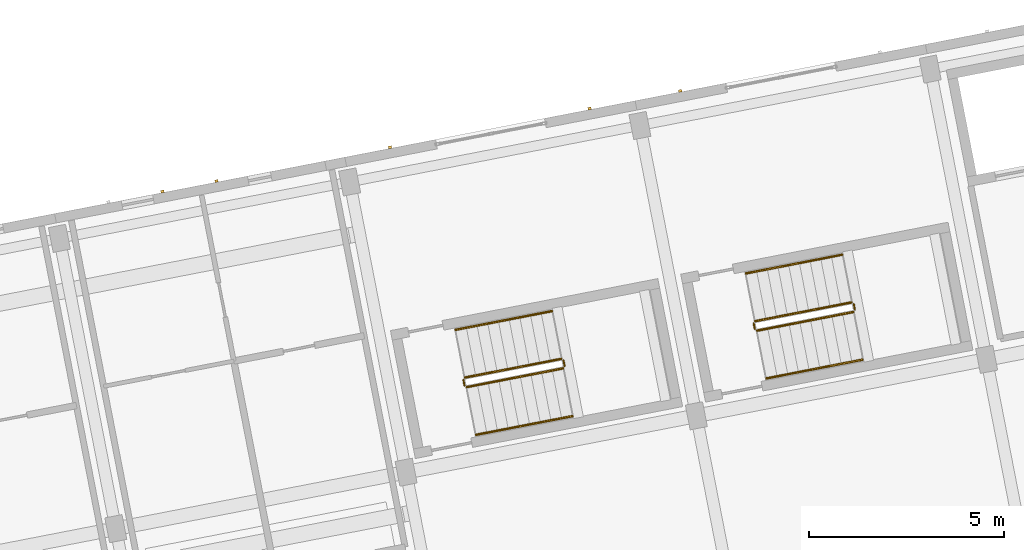
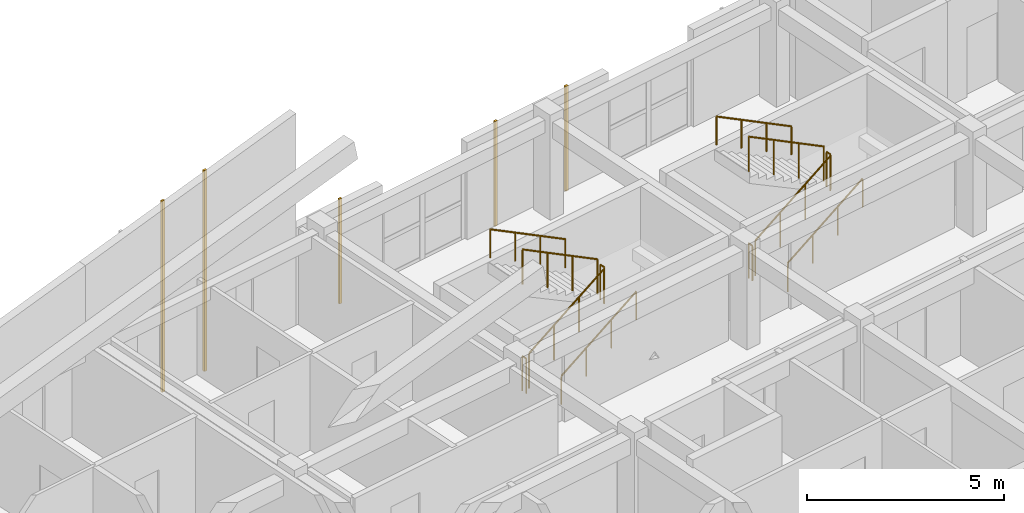
# One storey, part 59 of 64: 12 railings, 5 coverings.
"""IFC4 building model written with IfcOpenShell, lengths in metres."""

from ifc_helpers import new_model, si_unit, direction, frame, origin, origin_2d, place, context, subcontext, project, spatial, rectangle, circle, extrude, material, layer, layer_set, type_object, element, save


model = new_model("IFC4")

# Units and contexts
model_context = context("Model", 3, precision=1e-05, world=origin(), true_north=direction((0.0, 1.0)))
body_context = subcontext(model_context, "Body", "Model", "MODEL_VIEW")
ifc_project = project(units=[si_unit("LENGTHUNIT", "METRE"), si_unit("AREAUNIT", "SQUARE_METRE"), si_unit("VOLUMEUNIT", "CUBIC_METRE"), si_unit("PLANEANGLEUNIT", "RADIAN"), si_unit("MASSUNIT", "GRAM", prefix="KILO")], contexts=[model_context])

# Site, building, storey
site_placement = place(None, origin())
site = spatial("IfcSite", under=ifc_project, at=site_placement, CompositionType="ELEMENT")
building_placement = place(site_placement, origin())
building = spatial("IfcBuilding", under=site, at=building_placement, Name="Kestramere Prow Commons", CompositionType="ELEMENT")
storey_placement = place(building_placement, frame((0.0, 0.0, 24.64990234375)))
storey = spatial("IfcBuildingStorey", under=building, at=storey_placement, Name="L07", CompositionType="ELEMENT", Elevation=24.64990234375)

# Coverings
ifc_material_1 = material(Name="Weathered Zinc-Titanium Standing-Seam Cladding")
ifc_layer = layer(ifc_material_1, 0.074951171875)
ifc_layer_set = layer_set([ifc_layer], Name="Weathered Zinc-Titanium Standing-Seam Cladding")
covering_type = type_object("IfcCoveringType", Name="COV-CLAD-SEAM", PredefinedType="CLADDING", material=ifc_layer_set)
covering_1_placement = place(storey_placement, frame((132.2294921875, 57.34521484375, -0.25), z_axis=(0.0, 0.0, 1.0), x_axis=(0.981627183448, 0.190808995377, 0.0)))
element("IfcCovering", 1, at=covering_1_placement, inside=storey, type_object=covering_type, Name="EW-D-L07-N-2 Standing-Seam Rib 2", PredefinedType="CLADDING", context=body_context, shape_type="SweptSolid", body=[
    extrude(rectangle(XDim=0.0849609375, YDim=0.06494140625, at=origin_2d()), origin(), (0.0, 0.0, 1.0), 5.926513671875),
])
covering_2_placement = place(storey_placement, frame((133.61865234375, 57.615234375, -0.249755859375), z_axis=(0.0, 0.0, 1.0), x_axis=(0.981627183448, 0.190808995377, 0.0)))
element("IfcCovering", 2, at=covering_2_placement, inside=storey, type_object=covering_type, Name="EW-D-L07-N-2 Standing-Seam Rib 3", PredefinedType="CLADDING", context=body_context, shape_type="SweptSolid", body=[
    extrude(rectangle(XDim=0.0849609375, YDim=0.06494140625, at=origin_2d()), origin(), (0.0, 0.0, 1.0), 6.21923828125),
])
for number, where, z_axis, x_axis, name in (
    (3, (138.07763671875, 58.48193359375, -0.25), (0.0, 0.0, 1.0), (0.981627183448, 0.190808995377, 0.0), "EW-D-L07-NP-3-L Standing-Seam Rib 1"),
    (4, (143.20654296875, 59.47900390625, -0.25), (0.0, 0.0, 1.0), (0.981627183448, 0.190808995377, 0.0), "EW-D-L07-NP-3-R Standing-Seam Rib 1"),
    (5, (145.5380859375, 59.93212890625, -0.25), (0.0, 0.0, 1.0), (0.981627183448, 0.190808995377, 0.0), "EW-D-L07-NP-4-L Standing-Seam Rib 1"),
):
    element("IfcCovering", number, at=place(storey_placement, frame(where, z_axis=z_axis, x_axis=x_axis)), inside=storey, type_object=covering_type, Name=name, PredefinedType="CLADDING", context=body_context, shape_type="SweptSolid", body=[
        extrude(rectangle(XDim=0.0849609375, YDim=0.06494140625, at=origin_2d()), origin(), (0.0, 0.0, 1.0), 3.25),
    ])

# Railings
ifc_material_2 = material(Name="Galvanised Steel S275JR", Category="steel")
railing_type_1 = type_object("IfcRailingType", Name="RL-ST-GR-1100", PredefinedType="GUARDRAIL", material=ifc_material_2)
railing_1_placement = place(storey_placement, frame((140.052490234375, 52.318115234375, 0.16259765625)))
element("IfcRailing", 6, at=railing_1_placement, inside=storey, type_object=railing_type_1, Name="L07 ST-D1 stair guard 1", PredefinedType="GUARDRAIL", context=body_context, shape_type="SweptSolid", body=[
    extrude(circle(Radius=0.02392578125, at=origin_2d()), frame((0.0, 0.0, 1.076171875), z_axis=(0.849043739131, 0.164982445707, 0.501901904411), x_axis=(-0.190747789018, 0.981639078778, 0.0)), (0.0, 0.0, 1.0), 2.913818359375),
    extrude(circle(Radius=0.02099609375, at=origin_2d()), origin(), (0.0, 0.0, 1.0), 1.052001953125),
    extrude(circle(Radius=0.02099609375, at=origin_2d()), frame((0.82470703125, 0.16015625, 0.487548828125)), (0.0, 0.0, 1.0), 1.052001953125),
    extrude(circle(Radius=0.02099609375, at=origin_2d()), frame((1.649169921875, 0.320556640625, 0.974853515625)), (0.0, 0.0, 1.0), 1.052001953125),
    extrude(circle(Radius=0.02099609375, at=origin_2d()), frame((2.473876953125, 0.480712890625, 1.46240234375)), (0.0, 0.0, 1.0), 1.052001953125),
])
railing_2_placement = place(storey_placement, frame((142.56591796875, 52.857421875, 1.625)))
element("IfcRailing", 7, at=railing_2_placement, inside=storey, type_object=railing_type_1, Name="L07 ST-D1 stair guard 2", PredefinedType="GUARDRAIL", context=body_context, shape_type="SweptSolid", body=[
    extrude(circle(Radius=0.02392578125, at=origin_2d()), frame((0.0, 0.0, 1.076171875), z_axis=(-0.191739424664, 0.981445868619, 0.0), x_axis=(-0.981445868619, -0.191739424664, 0.0)), (0.0, 0.0, 1.0), 0.150146484375),
    extrude(circle(Radius=0.02099609375, at=origin_2d()), origin(), (0.0, 0.0, 1.0), 1.052001953125),
    extrude(circle(Radius=0.02099609375, at=origin_2d()), frame((-0.02880859375, 0.1474609375, 0.0)), (0.0, 0.0, 1.0), 1.052001953125),
])
railing_3_placement = place(storey_placement, frame((142.478515625, 53.044189453125, 1.78759765625)))
element("IfcRailing", 8, at=railing_3_placement, inside=storey, type_object=railing_type_1, Name="L07 ST-D1 stair guard 3", PredefinedType="GUARDRAIL", context=body_context, shape_type="SweptSolid", body=[
    extrude(circle(Radius=0.02392578125, at=origin_2d()), frame((0.0, 0.0, 1.076171875), z_axis=(-0.849020348783, -0.164994183454, 0.501937612437), x_axis=(0.190765930203, -0.981635553489, 0.0)), (0.0, 0.0, 1.0), 2.91357421875),
    extrude(circle(Radius=0.02099609375, at=origin_2d()), origin(), (0.0, 0.0, 1.0), 1.052001953125),
    extrude(circle(Radius=0.02099609375, at=origin_2d()), frame((-0.824462890625, -0.16015625, 0.487548828125)), (0.0, 0.0, 1.0), 1.052001953125),
    extrude(circle(Radius=0.02099609375, at=origin_2d()), frame((-1.649169921875, -0.320556640625, 0.974853515625)), (0.0, 0.0, 1.0), 1.052001953125),
    extrude(circle(Radius=0.02099609375, at=origin_2d()), frame((-2.4736328125, -0.480712890625, 1.46240234375)), (0.0, 0.0, 1.0), 1.052001953125),
])
railing_4_placement = place(storey_placement, frame((139.993896484375, 52.357666015625, 0.0)))
element("IfcRailing", 9, at=railing_4_placement, inside=storey, type_object=railing_type_1, Name="L07 ST-D1 stair guard 4", PredefinedType="GUARDRAIL", context=body_context, shape_type="SweptSolid", body=[
    extrude(circle(Radius=0.02392578125, at=origin_2d()), frame((0.0, 0.0, 1.076171875), z_axis=(-0.190477468355, 0.981691567677, 0.0), x_axis=(-0.981691567677, -0.190477468355, 0.0)), (0.0, 0.0, 1.0), 0.14990234375),
    extrude(circle(Radius=0.02099609375, at=origin_2d()), origin(), (0.0, 0.0, 1.0), 1.052001953125),
    extrude(circle(Radius=0.02099609375, at=origin_2d()), frame((-0.028564453125, 0.147216796875, 0.0)), (0.0, 0.0, 1.0), 1.052001953125),
])
railing_5_placement = place(storey_placement, frame((147.512939453125, 53.768310546875, 0.16259765625)))
element("IfcRailing", 10, at=railing_5_placement, inside=storey, type_object=railing_type_1, Name="L07 ST-D2 stair guard 1", PredefinedType="GUARDRAIL", context=body_context, shape_type="SweptSolid", body=[
    extrude(circle(Radius=0.02392578125, at=origin_2d()), frame((0.0, 0.0, 1.076171875), z_axis=(0.849020348783, 0.164994183454, 0.501937612437), x_axis=(-0.190765930203, 0.981635553489, 0.0)), (0.0, 0.0, 1.0), 2.91357421875),
    extrude(circle(Radius=0.02099609375, at=origin_2d()), origin(), (0.0, 0.0, 1.0), 1.052001953125),
    extrude(circle(Radius=0.02099609375, at=origin_2d()), frame((0.824462890625, 0.16015625, 0.487548828125)), (0.0, 0.0, 1.0), 1.052001953125),
    extrude(circle(Radius=0.02099609375, at=origin_2d()), frame((1.649169921875, 0.320556640625, 0.974853515625)), (0.0, 0.0, 1.0), 1.052001953125),
    extrude(circle(Radius=0.02099609375, at=origin_2d()), frame((2.4736328125, 0.480712890625, 1.46240234375)), (0.0, 0.0, 1.0), 1.052001953125),
])
railing_6_placement = place(storey_placement, frame((150.026123046875, 54.3076171875, 1.625)))
element("IfcRailing", 11, at=railing_6_placement, inside=storey, type_object=railing_type_1, Name="L07 ST-D2 stair guard 2", PredefinedType="GUARDRAIL", context=body_context, shape_type="SweptSolid", body=[
    extrude(circle(Radius=0.02392578125, at=origin_2d()), frame((0.0, 0.0, 1.076171875), z_axis=(-0.190477468355, 0.981691567677, 0.0), x_axis=(-0.981691567677, -0.190477468355, 0.0)), (0.0, 0.0, 1.0), 0.14990234375),
    extrude(circle(Radius=0.02099609375, at=origin_2d()), origin(), (0.0, 0.0, 1.0), 1.052001953125),
    extrude(circle(Radius=0.02099609375, at=origin_2d()), frame((-0.028564453125, 0.147216796875, 0.0)), (0.0, 0.0, 1.0), 1.052001953125),
])
railing_7_placement = place(storey_placement, frame((149.93896484375, 54.494384765625, 1.78759765625)))
element("IfcRailing", 12, at=railing_7_placement, inside=storey, type_object=railing_type_1, Name="L07 ST-D2 stair guard 3", PredefinedType="GUARDRAIL", context=body_context, shape_type="SweptSolid", body=[
    extrude(circle(Radius=0.02392578125, at=origin_2d()), frame((0.0, 0.0, 1.076171875), z_axis=(-0.849020348783, -0.164994183454, 0.501937612437), x_axis=(0.190765930203, -0.981635553489, 0.0)), (0.0, 0.0, 1.0), 2.91357421875),
    extrude(circle(Radius=0.02099609375, at=origin_2d()), origin(), (0.0, 0.0, 1.0), 1.052001953125),
    extrude(circle(Radius=0.02099609375, at=origin_2d()), frame((-0.824462890625, -0.16015625, 0.487548828125)), (0.0, 0.0, 1.0), 1.052001953125),
    extrude(circle(Radius=0.02099609375, at=origin_2d()), frame((-1.649169921875, -0.320556640625, 0.974853515625)), (0.0, 0.0, 1.0), 1.052001953125),
    extrude(circle(Radius=0.02099609375, at=origin_2d()), frame((-2.4736328125, -0.480712890625, 1.46240234375)), (0.0, 0.0, 1.0), 1.052001953125),
])
railing_8_placement = place(storey_placement, frame((147.454345703125, 53.807861328125, 0.0)))
element("IfcRailing", 13, at=railing_8_placement, inside=storey, type_object=railing_type_1, Name="L07 ST-D2 stair guard 4", PredefinedType="GUARDRAIL", context=body_context, shape_type="SweptSolid", body=[
    extrude(circle(Radius=0.02392578125, at=origin_2d()), frame((0.0, 0.0, 1.076171875), z_axis=(-0.190477468355, 0.981691567677, 0.0), x_axis=(-0.981691567677, -0.190477468355, 0.0)), (0.0, 0.0, 1.0), 0.14990234375),
    extrude(circle(Radius=0.02099609375, at=origin_2d()), origin(), (0.0, 0.0, 1.0), 1.052001953125),
    extrude(circle(Radius=0.02099609375, at=origin_2d()), frame((-0.028564453125, 0.147216796875, 0.0)), (0.0, 0.0, 1.0), 1.052001953125),
])
ifc_material_3 = material(Name="Stainless Steel 304", Category="steel")
railing_type_2 = type_object("IfcRailingType", Name="RL-ST-HR-900", PredefinedType="HANDRAIL", material=ifc_material_3)
railing_9_placement = place(storey_placement, frame((140.291015625, 51.091064453125, 0.3251953125)))
element("IfcRailing", 14, at=railing_9_placement, inside=storey, type_object=railing_type_2, Name="L07 ST-D1 stair handrail 1", PredefinedType="HANDRAIL", context=body_context, shape_type="SweptSolid", body=[
    extrude(circle(Radius=0.02392578125, at=origin_2d()), frame((0.0, 0.0, 0.8759765625), z_axis=(0.849043739131, 0.164982445707, 0.501901904411), x_axis=(-0.190747789018, 0.981639078778, 0.0)), (0.0, 0.0, 1.0), 2.913818359375),
    extrude(circle(Radius=0.02099609375, at=origin_2d()), origin(), (0.0, 0.0, 1.0), 0.851806640625),
    extrude(circle(Radius=0.02099609375, at=origin_2d()), frame((0.82470703125, 0.16015625, 0.487548828125)), (0.0, 0.0, 1.0), 0.851806640625),
    extrude(circle(Radius=0.02099609375, at=origin_2d()), frame((1.649169921875, 0.320556640625, 0.974853515625)), (0.0, 0.0, 1.0), 0.851806640625),
    extrude(circle(Radius=0.02099609375, at=origin_2d()), frame((2.473876953125, 0.480712890625, 1.46240234375)), (0.0, 0.0, 1.0), 0.851806640625),
])
railing_10_placement = place(storey_placement, frame((142.239990234375, 54.271240234375, 1.9501953125)))
element("IfcRailing", 15, at=railing_10_placement, inside=storey, type_object=railing_type_2, Name="L07 ST-D1 stair handrail 2", PredefinedType="HANDRAIL", context=body_context, shape_type="SweptSolid", body=[
    extrude(circle(Radius=0.02392578125, at=origin_2d()), frame((0.0, 0.0, 0.8759765625), z_axis=(-0.849020348783, -0.164994183454, 0.501937612437), x_axis=(0.190765930203, -0.981635553489, 0.0)), (0.0, 0.0, 1.0), 2.91357421875),
    extrude(circle(Radius=0.02099609375, at=origin_2d()), origin(), (0.0, 0.0, 1.0), 0.851806640625),
    extrude(circle(Radius=0.02099609375, at=origin_2d()), frame((-0.824462890625, -0.16015625, 0.487548828125)), (0.0, 0.0, 1.0), 0.851806640625),
    extrude(circle(Radius=0.02099609375, at=origin_2d()), frame((-1.649169921875, -0.320556640625, 0.974853515625)), (0.0, 0.0, 1.0), 0.851806640625),
    extrude(circle(Radius=0.02099609375, at=origin_2d()), frame((-2.4736328125, -0.480712890625, 1.46240234375)), (0.0, 0.0, 1.0), 0.851806640625),
])
railing_11_placement = place(storey_placement, frame((147.75146484375, 52.541259765625, 0.3251953125)))
element("IfcRailing", 16, at=railing_11_placement, inside=storey, type_object=railing_type_2, Name="L07 ST-D2 stair handrail 1", PredefinedType="HANDRAIL", context=body_context, shape_type="SweptSolid", body=[
    extrude(circle(Radius=0.02392578125, at=origin_2d()), frame((0.0, 0.0, 0.8759765625), z_axis=(0.849020348783, 0.164994183454, 0.501937612437), x_axis=(-0.190765930203, 0.981635553489, 0.0)), (0.0, 0.0, 1.0), 2.91357421875),
    extrude(circle(Radius=0.02099609375, at=origin_2d()), origin(), (0.0, 0.0, 1.0), 0.851806640625),
    extrude(circle(Radius=0.02099609375, at=origin_2d()), frame((0.824462890625, 0.16015625, 0.487548828125)), (0.0, 0.0, 1.0), 0.851806640625),
    extrude(circle(Radius=0.02099609375, at=origin_2d()), frame((1.649169921875, 0.320556640625, 0.974853515625)), (0.0, 0.0, 1.0), 0.851806640625),
    extrude(circle(Radius=0.02099609375, at=origin_2d()), frame((2.4736328125, 0.480712890625, 1.46240234375)), (0.0, 0.0, 1.0), 0.851806640625),
])
railing_12_placement = place(storey_placement, frame((149.700439453125, 55.721435546875, 1.9501953125)))
element("IfcRailing", 17, at=railing_12_placement, inside=storey, type_object=railing_type_2, Name="L07 ST-D2 stair handrail 2", PredefinedType="HANDRAIL", context=body_context, shape_type="SweptSolid", body=[
    extrude(circle(Radius=0.02392578125, at=origin_2d()), frame((0.0, 0.0, 0.8759765625), z_axis=(-0.849020348783, -0.164994183454, 0.501937612437), x_axis=(0.190765930203, -0.981635553489, 0.0)), (0.0, 0.0, 1.0), 2.91357421875),
    extrude(circle(Radius=0.02099609375, at=origin_2d()), origin(), (0.0, 0.0, 1.0), 0.851806640625),
    extrude(circle(Radius=0.02099609375, at=origin_2d()), frame((-0.824462890625, -0.16015625, 0.487548828125)), (0.0, 0.0, 1.0), 0.851806640625),
    extrude(circle(Radius=0.02099609375, at=origin_2d()), frame((-1.649169921875, -0.320556640625, 0.974853515625)), (0.0, 0.0, 1.0), 0.851806640625),
    extrude(circle(Radius=0.02099609375, at=origin_2d()), frame((-2.4736328125, -0.480712890625, 1.46240234375)), (0.0, 0.0, 1.0), 0.851806640625),
])

save(model, "model.ifc")
